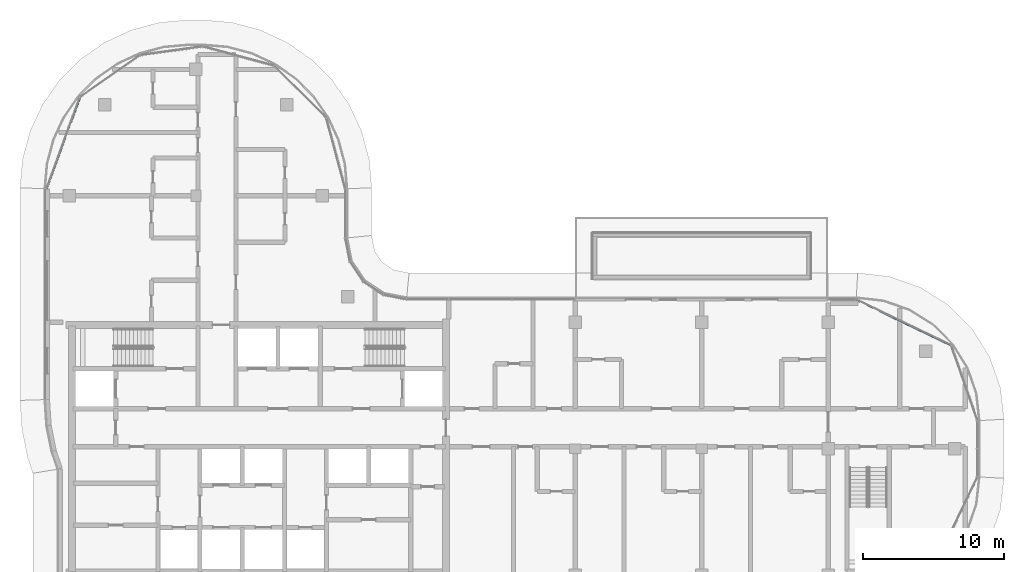
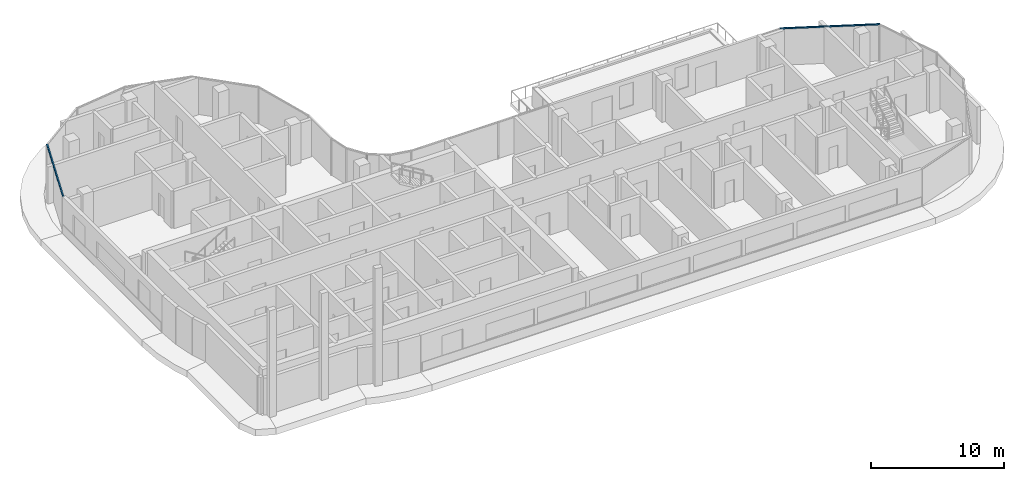
# One storey, part 5 of 20: 2 members, 2 elements without a shape of their own.
"""IFC4 building model written with IfcOpenShell, lengths in metres."""

from ifc_helpers import new_model, si_unit, direction, frame, origin, origin_2d, place, context, subcontext, project, spatial, rectangle, extrude, material, material_profile, profile_set, type_object, element, aggregate, save


model = new_model("IFC4")

# Units and contexts
model_context = context("Model", 3, precision=1e-05, world=origin(), true_north=direction((0.0, 1.0)))
body_context = subcontext(model_context, "Body", "Model", "MODEL_VIEW")
ifc_project = project(units=[si_unit("LENGTHUNIT", "METRE"), si_unit("AREAUNIT", "SQUARE_METRE"), si_unit("VOLUMEUNIT", "CUBIC_METRE"), si_unit("PLANEANGLEUNIT", "RADIAN"), si_unit("MASSUNIT", "GRAM", prefix="KILO")], contexts=[model_context])

# Site, building, storey
site_placement = place(None, origin())
site = spatial("IfcSite", under=ifc_project, at=site_placement, CompositionType="ELEMENT")
building_placement = place(site_placement, origin())
building = spatial("IfcBuilding", under=site, at=building_placement, Name="Ogive Portal Towers", CompositionType="ELEMENT")
storey_placement = place(building_placement, frame((0.0, 0.0, 195.800048828125)))
storey = spatial("IfcBuildingStorey", under=building, at=storey_placement, Name="L48", CompositionType="ELEMENT", Elevation=195.800048828125)

# Curtain wall, member
ifc_material_1 = material(Name="Glass, clear low-iron insulated glazing", Category="glass")
curtain_wall_type = type_object("IfcCurtainWallType", Name="CW FRONT RIBBON 4500", PredefinedType="NOTDEFINED", material=ifc_material_1)
curtain_wall_1_placement = place(storey_placement, origin())
curtain_wall_1 = element("IfcCurtainWall", 1, at=curtain_wall_1_placement, inside=storey, type_object=curtain_wall_type, Name="A:L48:f11:cwa", PredefinedType="NOTDEFINED")
ifc_material_2 = material(Name="Aluminium 6063 anodised", Category="aluminium")
ifc_material_profile = material_profile(ifc_material_2, rectangle(XDim=0.1201171875, YDim=0.06005859375, at=origin_2d()), Name="AL 120x60")
ifc_profile_set = profile_set([ifc_material_profile], Name="Aluminium 6063 anodised")
member_type = type_object("IfcMemberType", Name="CW TRANSOM 60x120", PredefinedType="USERDEFINED", material=ifc_profile_set)
member_1_placement = place(storey_placement, frame((94.2490234375, 37.8759765625, 3.369873046875), z_axis=(-0.900965905554, 0.433889890445, 0.0), x_axis=(-0.433889890445, -0.900965905554, 0.0)))
member_1 = element("IfcMember", 2, at=member_1_placement, type_object=member_type, Name="transom", ObjectType="TRANSOM", PredefinedType="USERDEFINED", context=body_context, shape_type="SweptSolid", body=[
    extrude(rectangle(XDim=0.1201171875, YDim=0.06005859375, at=origin_2d()), origin(), (0.0, 0.0, 1.0), 7.51123046875),
])
aggregate(curtain_wall_1, [member_1])

curtain_wall_2_placement = place(storey_placement, origin())
curtain_wall_2 = element("IfcCurtainWall", 3, at=curtain_wall_2_placement, inside=storey, type_object=curtain_wall_type, Name="A:L48:f19:cwa", PredefinedType="NOTDEFINED")
member_2_placement = place(storey_placement, frame((32.241455078125, 55.514892578125, 3.369873046875), z_axis=(-0.342030817509, -0.939688735632, 0.0), x_axis=(0.939688735632, -0.342030817509, 0.0)))
member_2 = element("IfcMember", 4, at=member_2_placement, type_object=member_type, Name="transom", ObjectType="TRANSOM", PredefinedType="USERDEFINED", context=body_context, shape_type="SweptSolid", body=[
    extrude(rectangle(XDim=0.1201171875, YDim=0.06005859375, at=origin_2d()), origin(), (0.0, 0.0, 1.0), 6.947998046875),
])
aggregate(curtain_wall_2, [member_2])

save(model, "model.ifc")
